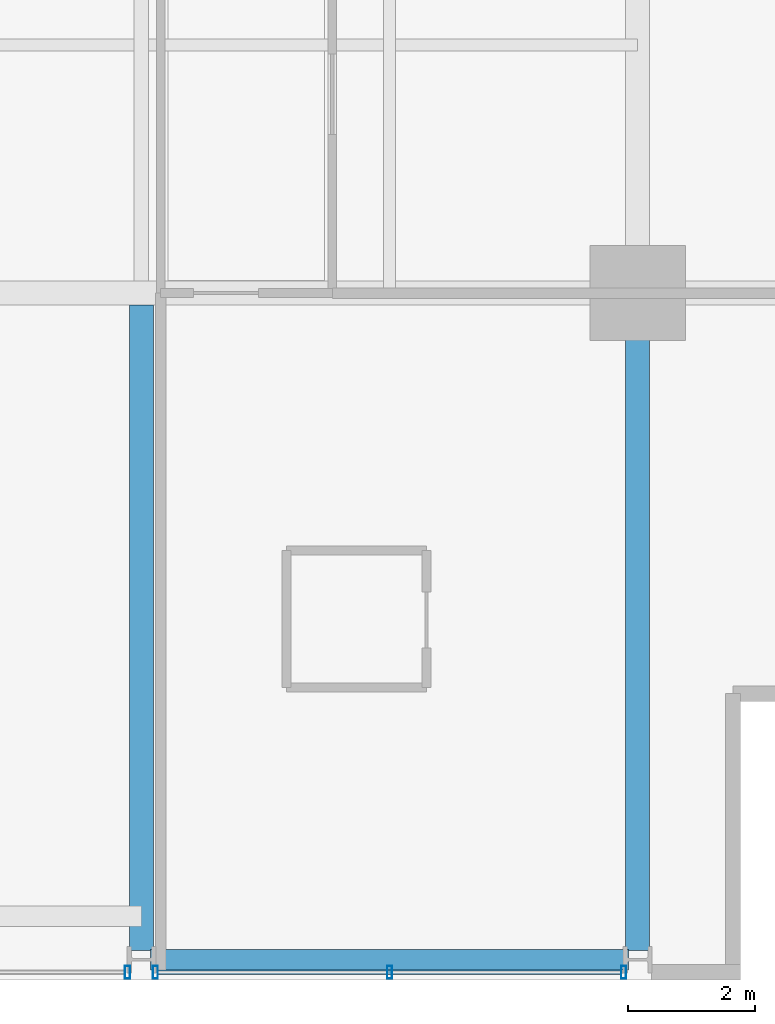
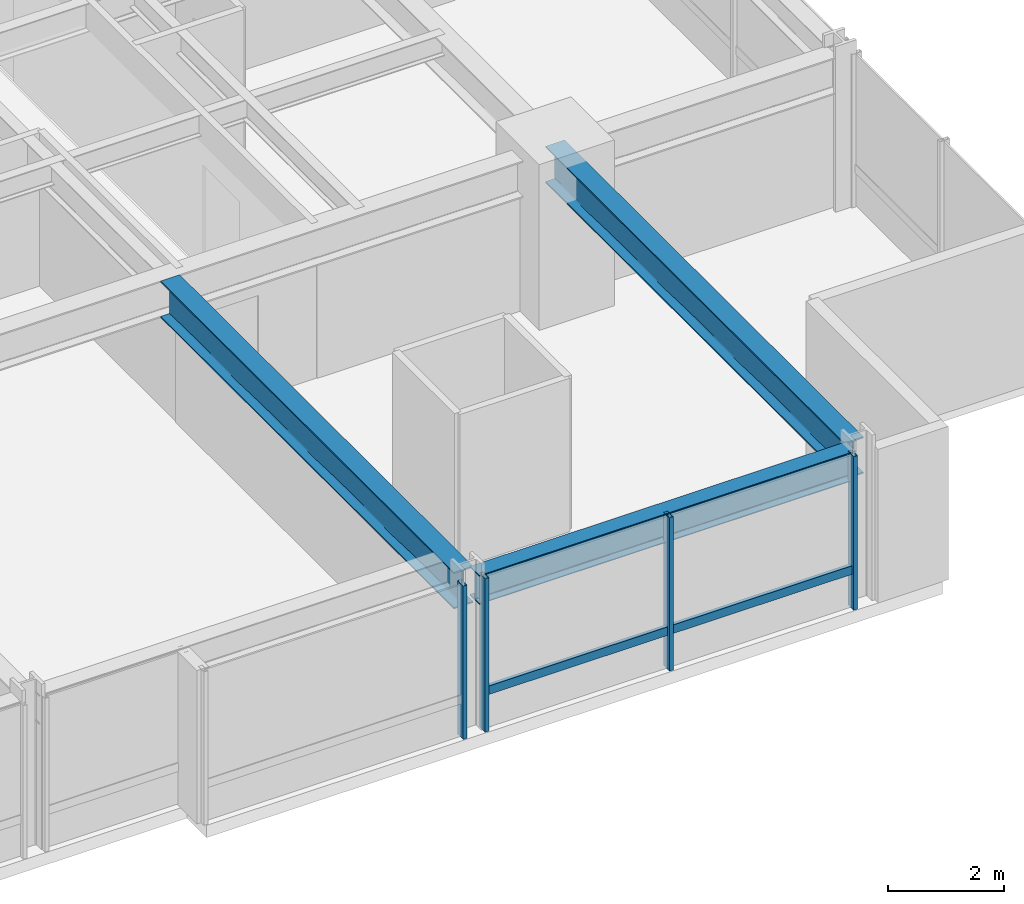
# One storey, part 11 of 33: 5 members, 3 beams, 2 elements without a shape of their own.
"""IFC4 building model written with IfcOpenShell, lengths in metres."""

import ifcopenshell
import ifcopenshell.guid

model = None  # the IFC model being written
_history = None  # IfcOwnerHistory: only IFC2X3 demands one
_inside = {}  # id of a spatial element -> (the spatial element, [elements in it])
_under = {}  # id of a project, library or spatial element -> (it, [spatial elements below it])
_declared = {}  # id of a project -> (the project, [libraries it declares])
_typed = {}  # id of a type object -> (the type object, [elements of that type])
_made_of = {}  # id of a material, layer set ... -> (it, [elements and type objects made of it])


def new_model(schema):
    """Start an empty IFC model of exactly this schema.

    Asked for "IFC4X3", IfcOpenShell would pick the latest addendum, in which some entities
    have other attributes; the version numbers below select the first issue.
    IFC2X3 requires an IfcOwnerHistory on every rooted entity: one is made here for all.
    """
    global model, _history
    if schema == "IFC4X3":
        model = ifcopenshell.file(schema_version=(4, 3, 0, 0))
    else:
        model = ifcopenshell.file(schema=schema)
    _inside.clear()
    _under.clear()
    _declared.clear()
    _typed.clear()
    _made_of.clear()
    _history = None
    if model.schema == "IFC2X3":
        org = make("IfcOrganization", Name="unknown")
        user = make(
            "IfcPersonAndOrganization",
            ThePerson=make("IfcPerson", FamilyName="unknown"),
            TheOrganization=org,
        )
        app = make(
            "IfcApplication",
            ApplicationDeveloper=org,
            Version="unknown",
            ApplicationFullName="unknown",
            ApplicationIdentifier="unknown",
        )
        _history = make(
            "IfcOwnerHistory",
            OwningUser=user,
            OwningApplication=app,
            ChangeAction="ADDED",
            CreationDate=0,
        )
    return model


def make(cls, **values):
    """One entity of the class cls with the attributes given. An attribute that is None is left unset."""
    return model.create_entity(
        cls, **{name: value for name, value in values.items() if value is not None}
    )


def rooted(cls, **values):
    """An entity with a GlobalId (a new one), such as an element, a storey or a relation."""
    return make(cls, GlobalId=ifcopenshell.guid.new(), OwnerHistory=_history, **values)


def si_unit(unit_type, name, prefix=None):
    """IfcSIUnit, for example si_unit("LENGTHUNIT", "METRE", prefix="MILLI")."""
    return make("IfcSIUnit", UnitType=unit_type, Prefix=prefix, Name=name)


def assignment(units):
    """IfcUnitAssignment: the units of a project."""
    return None if units is None else make("IfcUnitAssignment", Units=units)


def point(xyz):
    """IfcCartesianPoint."""
    return None if xyz is None else make("IfcCartesianPoint", Coordinates=xyz)


def direction(xyz):
    """IfcDirection."""
    return None if xyz is None else make("IfcDirection", DirectionRatios=xyz)


def frame(location, z_axis=None, x_axis=None):
    """IfcAxis2Placement3D, a coordinate frame: its origin and axes. An axis left out is left unset."""
    return make(
        "IfcAxis2Placement3D",
        Location=point(location),
        Axis=direction(z_axis),
        RefDirection=direction(x_axis),
    )


def frame_2d(location, x_axis=None):
    """IfcAxis2Placement2D, a coordinate frame in the plane: its origin and x axis."""
    return make(
        "IfcAxis2Placement2D", Location=point(location), RefDirection=direction(x_axis)
    )


def origin():
    """The frame at (0, 0, 0) with its axes left unset."""
    return frame((0.0, 0.0, 0.0))


def origin_2d():
    """The frame at (0, 0) in the plane with its x axis left unset."""
    return frame_2d((0.0, 0.0))


def place(relative_to, where):
    """IfcLocalPlacement: puts the frame where relative to a parent placement (None: the world)."""
    return make(
        "IfcLocalPlacement", PlacementRelTo=relative_to, RelativePlacement=where
    )


def context(
    kind, dimensions, precision=None, world=None, true_north=None, identifier=None
):
    """IfcGeometricRepresentationContext, for example the 3D "Model" context."""
    return make(
        "IfcGeometricRepresentationContext",
        ContextIdentifier=identifier,
        ContextType=kind,
        CoordinateSpaceDimension=dimensions,
        Precision=precision,
        WorldCoordinateSystem=world,
        TrueNorth=true_north,
    )


def subcontext(parent, identifier, kind, view, scale=None):
    """IfcGeometricRepresentationSubContext, for example "Body" below "Model"."""
    return make(
        "IfcGeometricRepresentationSubContext",
        ContextIdentifier=identifier,
        ContextType=kind,
        ParentContext=parent,
        TargetScale=scale,
        TargetView=view,
    )


def project(units=None, contexts=None):
    """IfcProject with its units and contexts."""
    return rooted(
        "IfcProject",
        Name="project",
        RepresentationContexts=contexts,
        UnitsInContext=assignment(units),
    )


def spatial(cls, under=None, at=None, **own):
    """A site, building, storey or space (cls), placed at a placement, below another one or the project."""
    s = rooted(cls, ObjectPlacement=at, **own)
    if under is not None:
        _under.setdefault(under.id(), (under, []))[1].append(s)
    return s


def profile(cls, at=None, kind="AREA", **sizes):
    """A parametric profile (cls). Its sizes go by their IFC names, for example OverallWidth=200.0."""
    return make(cls, ProfileType=kind, Position=at, **sizes)


def hollow_rectangle(**sizes):
    """IfcRectangleHollowProfileDef."""
    return profile("IfcRectangleHollowProfileDef", **sizes)


def i_section(**sizes):
    """IfcIShapeProfileDef."""
    return profile("IfcIShapeProfileDef", **sizes)


def extrude(swept, where, along, depth):
    """IfcExtrudedAreaSolid: the profile swept, set in the frame where, extruded along a direction by depth."""
    return make(
        "IfcExtrudedAreaSolid",
        SweptArea=swept,
        Position=where,
        ExtrudedDirection=direction(along),
        Depth=depth,
    )


def shape(context_of_items, identifier, shape_type, items):
    """IfcShapeRepresentation: the items that make up one representation, for example the "Body"."""
    return make(
        "IfcShapeRepresentation",
        ContextOfItems=context_of_items,
        RepresentationIdentifier=identifier,
        RepresentationType=shape_type,
        Items=items,
    )


def material(Name=None, Category=None):
    """IfcMaterial."""
    return make("IfcMaterial", Name=Name, Category=Category)


def layer(
    of_material, thickness, ventilated=None, Name=None, Category=None, Priority=None
):
    """IfcMaterialLayer: one layer of a wall or slab, of a material (None: an air gap)."""
    return make(
        "IfcMaterialLayer",
        Material=of_material,
        LayerThickness=thickness,
        IsVentilated=ventilated,
        Name=Name,
        Category=Category,
        Priority=Priority,
    )


def layer_set(layers, Name=None):
    """IfcMaterialLayerSet."""
    return make("IfcMaterialLayerSet", MaterialLayers=layers, LayerSetName=Name)


def material_profile(
    of_material, cross_section, Name=None, Category=None, Priority=None
):
    """IfcMaterialProfile: a cross section and its material."""
    return make(
        "IfcMaterialProfile",
        Name=Name,
        Material=of_material,
        Profile=cross_section,
        Priority=Priority,
        Category=Category,
    )


def profile_set(profiles, Name=None, composite=None):
    """IfcMaterialProfileSet."""
    return make(
        "IfcMaterialProfileSet",
        Name=Name,
        MaterialProfiles=profiles,
        CompositeProfile=composite,
    )


def made_of(thing, what):
    """Note that an element or type object is made of a material, layer set ...; save() writes the relation."""
    if what is not None:
        _made_of.setdefault(what.id(), (what, []))[1].append(thing)
    return thing


def type_object(cls, material=None, **own):
    """A type object (cls), such as IfcWallType, which elements share."""
    return made_of(rooted(cls, **own), material)


def element(
    cls,
    number,
    at=None,
    inside=None,
    cuts=None,
    type_object=None,
    material=None,
    context=None,
    identifier="Body",
    shape_type=None,
    held_by="IfcProductDefinitionShape",
    body=None,
    shapes=None,
    **own,
):
    """One element of the class cls, such as IfcWall. Its Tag is "e" and its number.

    at: its placement. inside: the storey or other place that contains it. cuts: it is an
    opening in that element (IfcRelVoidsElement). A single representation is given by context,
    identifier, shape_type and body (its items); several are given by shapes. held_by: the class
    of the entity that holds the representations. save() writes the other relations.
    """
    e = rooted(cls, Tag="e%d" % number, ObjectPlacement=at, **own)
    if body is not None:
        shapes = [shape(context, identifier, shape_type, body)]
    if shapes is not None:
        e.Representation = make(held_by, Representations=shapes)
    if inside is not None:
        _inside.setdefault(inside.id(), (inside, []))[1].append(e)
    if cuts is not None:
        rooted(
            "IfcRelVoidsElement", RelatingBuildingElement=cuts, RelatedOpeningElement=e
        )
    if type_object is not None:
        _typed.setdefault(type_object.id(), (type_object, []))[1].append(e)
    return made_of(e, material)


def aggregate(whole, parts):
    """IfcRelAggregates: a whole, such as a stair, and the parts it consists of."""
    return rooted("IfcRelAggregates", RelatingObject=whole, RelatedObjects=parts)


def save(model, path):
    """Write the relations noted so far, then the file.

    IfcRelAggregates (storeys below a building ...), IfcRelContainedInSpatialStructure (elements
    in a storey), IfcRelDefinesByType, IfcRelAssociatesMaterial and IfcRelDeclares: one each for
    every whole, place, type object, material and project.
    """
    for whole, parts in _under.values():
        aggregate(whole, parts)
    for where, things in _inside.values():
        rooted(
            "IfcRelContainedInSpatialStructure",
            RelatedElements=things,
            RelatingStructure=where,
        )
    for kind, things in _typed.values():
        rooted("IfcRelDefinesByType", RelatedObjects=things, RelatingType=kind)
    for what, things in _made_of.values():
        rooted("IfcRelAssociatesMaterial", RelatedObjects=things, RelatingMaterial=what)
    for by, libraries in _declared.values():
        rooted("IfcRelDeclares", RelatingContext=by, RelatedDefinitions=libraries)
    model.write(path)


model = new_model("IFC4")

# Units and contexts
model_context = context("Model", 3, precision=1e-05, world=origin(), true_north=direction((0.0, 1.0)))
body_context = subcontext(model_context, "Body", "Model", "MODEL_VIEW")
ifc_project = project(units=[si_unit("LENGTHUNIT", "METRE"), si_unit("AREAUNIT", "SQUARE_METRE"), si_unit("VOLUMEUNIT", "CUBIC_METRE"), si_unit("PLANEANGLEUNIT", "RADIAN"), si_unit("MASSUNIT", "GRAM", prefix="KILO")], contexts=[model_context])

# Site, building, storey
site_placement = place(None, origin())
site = spatial("IfcSite", under=ifc_project, at=site_placement, CompositionType="ELEMENT")
building_placement = place(site_placement, origin())
building = spatial("IfcBuilding", under=site, at=building_placement, Name="Drelvath Grand Hotel", CompositionType="ELEMENT")
storey_placement = place(building_placement, frame((0.0, 0.0, 105.800048828125)))
storey = spatial("IfcBuildingStorey", under=building, at=storey_placement, Name="L26", CompositionType="ELEMENT", Elevation=105.800048828125)

# Curtain wall, member
ifc_material_1 = material(Name="Champagne Bronze Anodised Aluminium Frame", Category="aluminium")
ifc_layer = layer(ifc_material_1, 0.199951171875)
ifc_layer_set = layer_set([ifc_layer], Name="Champagne Bronze Anodised Aluminium Frame")
curtain_wall_type = type_object("IfcCurtainWallType", Name="Stick Curtain Wall CW-03 Champagne Bronze Mid-Rise", PredefinedType="NOTDEFINED", material=ifc_layer_set)
curtain_wall_1_placement = place(storey_placement, origin())
curtain_wall_1 = element("IfcCurtainWall", 1, at=curtain_wall_1_placement, inside=storey, type_object=curtain_wall_type, Name="L26 CW-03 Curtain Wall CW03-L26-SE2", PredefinedType="NOTDEFINED")
ifc_material_profile_1 = material_profile(ifc_material_1, hollow_rectangle(XDim=0.074951171875, YDim=0.179931640625, WallThickness=0.0048828125, at=origin_2d()), Name="HSS180X75X5")
ifc_profile_set_1 = profile_set([ifc_material_profile_1], Name="Champagne Bronze Anodised Aluminium Frame")
member_type_1 = type_object("IfcMemberType", Name="Curtain Wall Horizontal Transom CW-03 HSS180X75X5", PredefinedType="USERDEFINED", material=ifc_profile_set_1)
member_1_placement = place(storey_placement, frame((15.9404296875, 0.1201171875, 0.81005859375), z_axis=(-1.0, 0.0, 0.0), x_axis=(0.0, -1.0, 0.0)))
member_1 = element("IfcMember", 2, at=member_1_placement, type_object=member_type_1, Name="CW03-L26-SE2 Sill Transom", ObjectType="TRANSOM", PredefinedType="USERDEFINED", context=body_context, shape_type="SweptSolid", body=[
    extrude(hollow_rectangle(XDim=0.074951171875, YDim=0.179931640625, WallThickness=0.0048828125, at=origin_2d()), origin(), (0.0, 0.0, 1.0), 7.28076171875),
])

curtain_wall_2_placement = place(storey_placement, origin())
curtain_wall_2 = element("IfcCurtainWall", 3, at=curtain_wall_2_placement, inside=storey, type_object=curtain_wall_type, Name="L26 CW-03 Curtain Wall CW03-L26-SE1", PredefinedType="NOTDEFINED")
ifc_material_profile_2 = material_profile(ifc_material_1, hollow_rectangle(XDim=0.080078125, YDim=0.199951171875, WallThickness=0.0048828125, at=origin_2d()), Name="HSS200X80X5")
ifc_profile_set_2 = profile_set([ifc_material_profile_2], Name="Champagne Bronze Anodised Aluminium Frame")
member_type_2 = type_object("IfcMemberType", Name="Curtain Wall Vertical Mullion CW-03 HSS200X80X5", PredefinedType="MULLION", material=ifc_profile_set_2)
member_2_placement = place(storey_placement, frame((8.180419921875, 0.1201171875, 0.0), z_axis=(0.0, 0.0, 1.0), x_axis=(1.0, 0.0, 0.0)))
member_2 = element("IfcMember", 4, at=member_2_placement, type_object=member_type_2, Name="CW03-L26-SE1 Mullion 1", PredefinedType="MULLION", context=body_context, shape_type="SweptSolid", body=[
    extrude(hollow_rectangle(XDim=0.080078125, YDim=0.199951171875, WallThickness=0.0048828125, at=origin_2d()), origin(), (0.0, 0.0, 1.0), 3.239990234375),
])
aggregate(curtain_wall_2, [member_2])

# Member
member_3_placement = place(storey_placement, frame((15.98046875, 0.1201171875, 0.0), z_axis=(0.0, 0.0, 1.0), x_axis=(1.0, 0.0, 0.0)))
member_3 = element("IfcMember", 5, at=member_3_placement, type_object=member_type_2, Name="CW03-L26-SE2 Mullion 1", PredefinedType="MULLION", context=body_context, shape_type="SweptSolid", body=[
    extrude(hollow_rectangle(XDim=0.080078125, YDim=0.199951171875, WallThickness=0.0048828125, at=origin_2d()), origin(), (0.0, 0.0, 1.0), 3.239990234375),
])

member_4_placement = place(storey_placement, frame((12.300048828125, 0.1201171875, 0.0), z_axis=(0.0, 0.0, 1.0), x_axis=(1.0, 0.0, 0.0)))
member_4 = element("IfcMember", 6, at=member_4_placement, type_object=member_type_2, Name="CW03-L26-SE2 Mullion 2", PredefinedType="MULLION", context=body_context, shape_type="SweptSolid", body=[
    extrude(hollow_rectangle(XDim=0.080078125, YDim=0.199951171875, WallThickness=0.0048828125, at=origin_2d()), origin(), (0.0, 0.0, 1.0), 3.239990234375),
])

member_5_placement = place(storey_placement, frame((8.61962890625, 0.1201171875, 0.0), z_axis=(0.0, 0.0, 1.0), x_axis=(1.0, 0.0, 0.0)))
member_5 = element("IfcMember", 7, at=member_5_placement, type_object=member_type_2, Name="CW03-L26-SE2 Mullion 3", PredefinedType="MULLION", context=body_context, shape_type="SweptSolid", body=[
    extrude(hollow_rectangle(XDim=0.080078125, YDim=0.199951171875, WallThickness=0.0048828125, at=origin_2d()), origin(), (0.0, 0.0, 1.0), 3.239990234375),
])

aggregate(curtain_wall_1, [member_3, member_4, member_5, member_1])

# Beams
ifc_material_2 = material(Name="Steel ASTM A992 Gr 50", Category="steel")
ifc_material_profile_3 = material_profile(ifc_material_2, i_section(OverallWidth=0.323974609375, OverallDepth=0.611083984375, WebThickness=0.0126953125, FlangeThickness=0.01904296875, FilletRadius=0.02197265625, at=origin_2d()), Name="W24X104")
ifc_profile_set_3 = profile_set([ifc_material_profile_3], Name="Steel ASTM A992 Gr 50")
beam_type_1 = type_object("IfcBeamType", Name="Perimeter Spandrel Beam W24X104", PredefinedType="SPANDREL", material=ifc_profile_set_3)
beam_1_placement = place(storey_placement, frame((8.5400390625, 0.320068359375, 2.9345703125), z_axis=(1.0, 0.0, 0.0), x_axis=(0.0, 1.0, 0.0)))
element("IfcBeam", 8, at=beam_1_placement, inside=storey, type_object=beam_type_1, Name="L26 Spandrel South E", PredefinedType="SPANDREL", context=body_context, shape_type="SweptSolid", body=[
    extrude(i_section(OverallWidth=0.323974609375, OverallDepth=0.611083984375, WebThickness=0.0126953125, FlangeThickness=0.01904296875, FilletRadius=0.02197265625, at=origin_2d()), origin(), (0.0, 0.0, 1.0), 7.52001953125),
])
ifc_material_profile_4 = material_profile(ifc_material_2, i_section(OverallWidth=0.380615234375, OverallDepth=0.773193359375, WebThickness=0.0166015625, FlangeThickness=0.027099609375, FilletRadius=0.02490234375, at=origin_2d()), Name="W30X173")
ifc_profile_set_4 = profile_set([ifc_material_profile_4], Name="Steel ASTM A992 Gr 50")
beam_type_2 = type_object("IfcBeamType", Name="Primary Floor Girder W30X173", PredefinedType="BEAM", material=ifc_profile_set_4)
beam_2_placement = place(storey_placement, frame((16.199951171875, 0.4599609375, 2.853271484375), z_axis=(0.0, 1.0, 0.0), x_axis=(-1.0, 0.0, 0.0)))
element("IfcBeam", 9, at=beam_2_placement, inside=storey, type_object=beam_type_2, Name="L26 South Grid Girder 7", PredefinedType="BEAM", context=body_context, shape_type="SweptSolid", body=[
    extrude(i_section(OverallWidth=0.380615234375, OverallDepth=0.773193359375, WebThickness=0.0166015625, FlangeThickness=0.027099609375, FilletRadius=0.02490234375, at=origin_2d()), origin(), (0.0, 0.0, 1.0), 10.340087890625),
])
beam_3_placement = place(storey_placement, frame((8.39990234375, 0.4599609375, 2.853271484375), z_axis=(0.0, 1.0, 0.0), x_axis=(-1.0, 0.0, 0.0)))
element("IfcBeam", 10, at=beam_3_placement, inside=storey, type_object=beam_type_2, Name="L26 South Wing Girder 6", PredefinedType="BEAM", context=body_context, shape_type="SweptSolid", body=[
    extrude(i_section(OverallWidth=0.380615234375, OverallDepth=0.773193359375, WebThickness=0.0166015625, FlangeThickness=0.027099609375, FilletRadius=0.02490234375, at=origin_2d()), origin(), (0.0, 0.0, 1.0), 10.149658203125),
])

save(model, "model.ifc")
